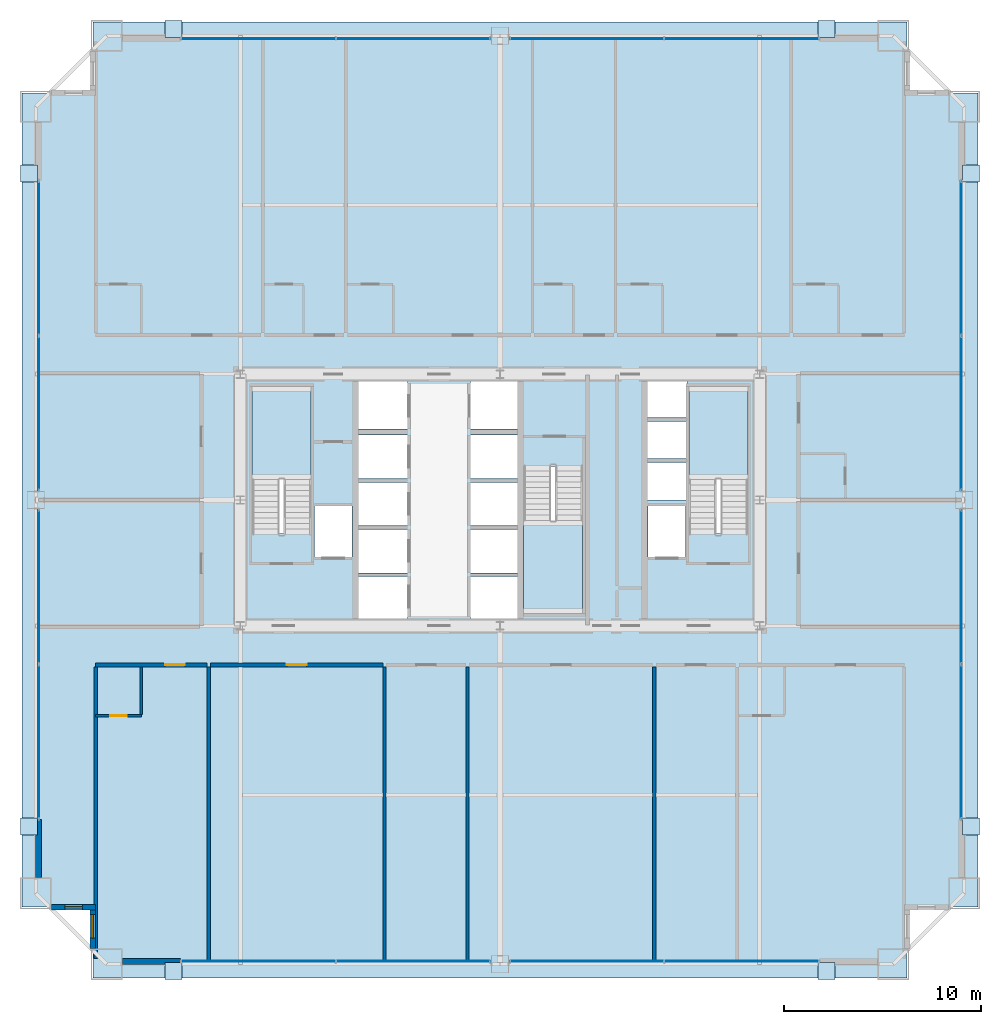
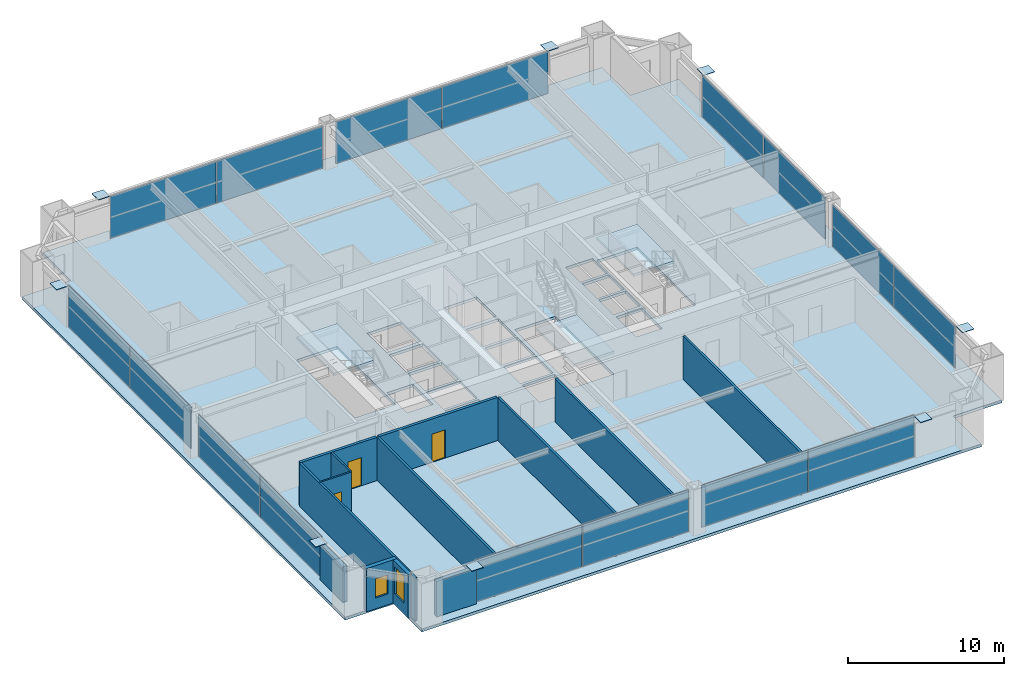
# One storey, part 34 of 39: 24 plates, 13 walls, 4 slabs, 3 doors, 2 windows, 5 openings, 11 elements without a shape of their own.
"""IFC4 building model written with IfcOpenShell, lengths in metres."""

import ifcopenshell
import ifcopenshell.guid

model = None  # the IFC model being written
_history = None  # IfcOwnerHistory: only IFC2X3 demands one
_inside = {}  # id of a spatial element -> (the spatial element, [elements in it])
_under = {}  # id of a project, library or spatial element -> (it, [spatial elements below it])
_declared = {}  # id of a project -> (the project, [libraries it declares])
_typed = {}  # id of a type object -> (the type object, [elements of that type])
_made_of = {}  # id of a material, layer set ... -> (it, [elements and type objects made of it])


def new_model(schema):
    """Start an empty IFC model of exactly this schema.

    Asked for "IFC4X3", IfcOpenShell would pick the latest addendum, in which some entities
    have other attributes; the version numbers below select the first issue.
    IFC2X3 requires an IfcOwnerHistory on every rooted entity: one is made here for all.
    """
    global model, _history
    if schema == "IFC4X3":
        model = ifcopenshell.file(schema_version=(4, 3, 0, 0))
    else:
        model = ifcopenshell.file(schema=schema)
    _inside.clear()
    _under.clear()
    _declared.clear()
    _typed.clear()
    _made_of.clear()
    _history = None
    if model.schema == "IFC2X3":
        org = make("IfcOrganization", Name="unknown")
        user = make(
            "IfcPersonAndOrganization",
            ThePerson=make("IfcPerson", FamilyName="unknown"),
            TheOrganization=org,
        )
        app = make(
            "IfcApplication",
            ApplicationDeveloper=org,
            Version="unknown",
            ApplicationFullName="unknown",
            ApplicationIdentifier="unknown",
        )
        _history = make(
            "IfcOwnerHistory",
            OwningUser=user,
            OwningApplication=app,
            ChangeAction="ADDED",
            CreationDate=0,
        )
    return model


def make(cls, **values):
    """One entity of the class cls with the attributes given. An attribute that is None is left unset."""
    return model.create_entity(
        cls, **{name: value for name, value in values.items() if value is not None}
    )


def rooted(cls, **values):
    """An entity with a GlobalId (a new one), such as an element, a storey or a relation."""
    return make(cls, GlobalId=ifcopenshell.guid.new(), OwnerHistory=_history, **values)


def si_unit(unit_type, name, prefix=None):
    """IfcSIUnit, for example si_unit("LENGTHUNIT", "METRE", prefix="MILLI")."""
    return make("IfcSIUnit", UnitType=unit_type, Prefix=prefix, Name=name)


def assignment(units):
    """IfcUnitAssignment: the units of a project."""
    return None if units is None else make("IfcUnitAssignment", Units=units)


def point(xyz):
    """IfcCartesianPoint."""
    return None if xyz is None else make("IfcCartesianPoint", Coordinates=xyz)


def direction(xyz):
    """IfcDirection."""
    return None if xyz is None else make("IfcDirection", DirectionRatios=xyz)


def frame(location, z_axis=None, x_axis=None):
    """IfcAxis2Placement3D, a coordinate frame: its origin and axes. An axis left out is left unset."""
    return make(
        "IfcAxis2Placement3D",
        Location=point(location),
        Axis=direction(z_axis),
        RefDirection=direction(x_axis),
    )


def frame_2d(location, x_axis=None):
    """IfcAxis2Placement2D, a coordinate frame in the plane: its origin and x axis."""
    return make(
        "IfcAxis2Placement2D", Location=point(location), RefDirection=direction(x_axis)
    )


def origin():
    """The frame at (0, 0, 0) with its axes left unset."""
    return frame((0.0, 0.0, 0.0))


def origin_2d():
    """The frame at (0, 0) in the plane with its x axis left unset."""
    return frame_2d((0.0, 0.0))


def place(relative_to, where):
    """IfcLocalPlacement: puts the frame where relative to a parent placement (None: the world)."""
    return make(
        "IfcLocalPlacement", PlacementRelTo=relative_to, RelativePlacement=where
    )


def context(
    kind, dimensions, precision=None, world=None, true_north=None, identifier=None
):
    """IfcGeometricRepresentationContext, for example the 3D "Model" context."""
    return make(
        "IfcGeometricRepresentationContext",
        ContextIdentifier=identifier,
        ContextType=kind,
        CoordinateSpaceDimension=dimensions,
        Precision=precision,
        WorldCoordinateSystem=world,
        TrueNorth=true_north,
    )


def subcontext(parent, identifier, kind, view, scale=None):
    """IfcGeometricRepresentationSubContext, for example "Body" below "Model"."""
    return make(
        "IfcGeometricRepresentationSubContext",
        ContextIdentifier=identifier,
        ContextType=kind,
        ParentContext=parent,
        TargetScale=scale,
        TargetView=view,
    )


def project(units=None, contexts=None):
    """IfcProject with its units and contexts."""
    return rooted(
        "IfcProject",
        Name="project",
        RepresentationContexts=contexts,
        UnitsInContext=assignment(units),
    )


def spatial(cls, under=None, at=None, **own):
    """A site, building, storey or space (cls), placed at a placement, below another one or the project."""
    s = rooted(cls, ObjectPlacement=at, **own)
    if under is not None:
        _under.setdefault(under.id(), (under, []))[1].append(s)
    return s


def polyline(points):
    """IfcPolyline through the points."""
    return make("IfcPolyline", Points=[point(p) for p in points])


def profile(cls, at=None, kind="AREA", **sizes):
    """A parametric profile (cls). Its sizes go by their IFC names, for example OverallWidth=200.0."""
    return make(cls, ProfileType=kind, Position=at, **sizes)


def rectangle(**sizes):
    """IfcRectangleProfileDef."""
    return profile("IfcRectangleProfileDef", **sizes)


def outline(outer, holes=None, kind="AREA"):
    """IfcArbitraryClosedProfileDef: a profile drawn as a closed curve; with holes, ...WithVoids."""
    if holes is None:
        return make("IfcArbitraryClosedProfileDef", ProfileType=kind, OuterCurve=outer)
    return make(
        "IfcArbitraryProfileDefWithVoids",
        ProfileType=kind,
        OuterCurve=outer,
        InnerCurves=holes,
    )


def extrude(swept, where, along, depth):
    """IfcExtrudedAreaSolid: the profile swept, set in the frame where, extruded along a direction by depth."""
    return make(
        "IfcExtrudedAreaSolid",
        SweptArea=swept,
        Position=where,
        ExtrudedDirection=direction(along),
        Depth=depth,
    )


def shape(context_of_items, identifier, shape_type, items):
    """IfcShapeRepresentation: the items that make up one representation, for example the "Body"."""
    return make(
        "IfcShapeRepresentation",
        ContextOfItems=context_of_items,
        RepresentationIdentifier=identifier,
        RepresentationType=shape_type,
        Items=items,
    )


def source(mapping_origin, context_of_items, identifier, shape_type, items):
    """IfcRepresentationMap: a shape defined once, which mapped items show again and again."""
    return make(
        "IfcRepresentationMap",
        MappingOrigin=mapping_origin,
        MappedRepresentation=shape(context_of_items, identifier, shape_type, items),
    )


def transform(
    local_origin,
    x_axis=None,
    y_axis=None,
    z_axis=None,
    scale=None,
    scale2=None,
    scale3=None,
    uniform=True,
):
    """IfcCartesianTransformationOperator3D, or its non-uniform kind. x_axis, y_axis, z_axis: its Axis1, 2, 3."""
    if uniform:
        return make(
            "IfcCartesianTransformationOperator3D",
            Axis1=direction(x_axis),
            Axis2=direction(y_axis),
            LocalOrigin=point(local_origin),
            Scale=scale,
            Axis3=direction(z_axis),
        )
    return make(
        "IfcCartesianTransformationOperator3DnonUniform",
        Axis1=direction(x_axis),
        Axis2=direction(y_axis),
        LocalOrigin=point(local_origin),
        Scale=scale,
        Axis3=direction(z_axis),
        Scale2=scale2,
        Scale3=scale3,
    )


def mapped(mapping_source, mapping_target):
    """IfcMappedItem: shows the shape of a source again, moved by a transform."""
    return make(
        "IfcMappedItem", MappingSource=mapping_source, MappingTarget=mapping_target
    )


def material(Name=None, Category=None):
    """IfcMaterial."""
    return make("IfcMaterial", Name=Name, Category=Category)


def layer(
    of_material, thickness, ventilated=None, Name=None, Category=None, Priority=None
):
    """IfcMaterialLayer: one layer of a wall or slab, of a material (None: an air gap)."""
    return make(
        "IfcMaterialLayer",
        Material=of_material,
        LayerThickness=thickness,
        IsVentilated=ventilated,
        Name=Name,
        Category=Category,
        Priority=Priority,
    )


def layer_set(layers, Name=None):
    """IfcMaterialLayerSet."""
    return make("IfcMaterialLayerSet", MaterialLayers=layers, LayerSetName=Name)


def made_of(thing, what):
    """Note that an element or type object is made of a material, layer set ...; save() writes the relation."""
    if what is not None:
        _made_of.setdefault(what.id(), (what, []))[1].append(thing)
    return thing


def type_object(cls, material=None, **own):
    """A type object (cls), such as IfcWallType, which elements share."""
    return made_of(rooted(cls, **own), material)


def element(
    cls,
    number,
    at=None,
    inside=None,
    cuts=None,
    type_object=None,
    material=None,
    context=None,
    identifier="Body",
    shape_type=None,
    held_by="IfcProductDefinitionShape",
    body=None,
    shapes=None,
    **own,
):
    """One element of the class cls, such as IfcWall. Its Tag is "e" and its number.

    at: its placement. inside: the storey or other place that contains it. cuts: it is an
    opening in that element (IfcRelVoidsElement). A single representation is given by context,
    identifier, shape_type and body (its items); several are given by shapes. held_by: the class
    of the entity that holds the representations. save() writes the other relations.
    """
    e = rooted(cls, Tag="e%d" % number, ObjectPlacement=at, **own)
    if body is not None:
        shapes = [shape(context, identifier, shape_type, body)]
    if shapes is not None:
        e.Representation = make(held_by, Representations=shapes)
    if inside is not None:
        _inside.setdefault(inside.id(), (inside, []))[1].append(e)
    if cuts is not None:
        rooted(
            "IfcRelVoidsElement", RelatingBuildingElement=cuts, RelatedOpeningElement=e
        )
    if type_object is not None:
        _typed.setdefault(type_object.id(), (type_object, []))[1].append(e)
    return made_of(e, material)


def fill(opening, filler):
    """IfcRelFillsElement: the door or window that sits in an opening."""
    return rooted(
        "IfcRelFillsElement",
        RelatingOpeningElement=opening,
        RelatedBuildingElement=filler,
    )


def aggregate(whole, parts):
    """IfcRelAggregates: a whole, such as a stair, and the parts it consists of."""
    return rooted("IfcRelAggregates", RelatingObject=whole, RelatedObjects=parts)


def save(model, path):
    """Write the relations noted so far, then the file.

    IfcRelAggregates (storeys below a building ...), IfcRelContainedInSpatialStructure (elements
    in a storey), IfcRelDefinesByType, IfcRelAssociatesMaterial and IfcRelDeclares: one each for
    every whole, place, type object, material and project.
    """
    for whole, parts in _under.values():
        aggregate(whole, parts)
    for where, things in _inside.values():
        rooted(
            "IfcRelContainedInSpatialStructure",
            RelatedElements=things,
            RelatingStructure=where,
        )
    for kind, things in _typed.values():
        rooted("IfcRelDefinesByType", RelatedObjects=things, RelatingType=kind)
    for what, things in _made_of.values():
        rooted("IfcRelAssociatesMaterial", RelatedObjects=things, RelatingMaterial=what)
    for by, libraries in _declared.values():
        rooted("IfcRelDeclares", RelatingContext=by, RelatedDefinitions=libraries)
    model.write(path)


model = new_model("IFC4")

# Units and contexts
model_context = context("Model", 3, precision=1e-05, world=origin(), true_north=direction((0.0, 1.0)))
body_context = subcontext(model_context, "Body", "Model", "MODEL_VIEW")
ifc_project = project(units=[si_unit("LENGTHUNIT", "METRE"), si_unit("AREAUNIT", "SQUARE_METRE"), si_unit("VOLUMEUNIT", "CUBIC_METRE"), si_unit("PLANEANGLEUNIT", "RADIAN"), si_unit("MASSUNIT", "GRAM", prefix="KILO"), si_unit("THERMODYNAMICTEMPERATUREUNIT", "KELVIN"), si_unit("POWERUNIT", "WATT")], contexts=[model_context])

# Site, building, storey
site_placement = place(None, origin())
site = spatial("IfcSite", under=ifc_project, at=site_placement, CompositionType="ELEMENT")
building_placement = place(site_placement, origin())
building = spatial("IfcBuilding", under=site, at=building_placement, Name="Yuzanri Waterfront Tower", CompositionType="ELEMENT")
storey_placement = place(building_placement, frame((0.0, 0.0, 148.800048828125)))
storey = spatial("IfcBuildingStorey", under=building, at=storey_placement, Name="L39", CompositionType="ELEMENT", Elevation=148.800048828125)

# Stair, slab
ifc_material_1 = material(Name="Concrete C40", Category="concrete")
stair_type = type_object("IfcStairType", Name="Concrete C40 Core Dogleg Exit Stair", PredefinedType="HALF_TURN_STAIR", material=ifc_material_1)
stair_1_placement = place(storey_placement, origin())
stair_1 = element("IfcStair", 1, at=stair_1_placement, inside=storey, type_object=stair_type, Name="L39 Smoke-Proof Core Stair ST-01", PredefinedType="HALF_TURN_STAIR")
ifc_material_2 = material(Name="Concrete C40", Category="concrete")
ifc_layer_1 = layer(ifc_material_2, 0.179931640625)
ifc_layer_set_1 = layer_set([ifc_layer_1], Name="Concrete C40")
slab_type_1 = type_object("IfcSlabType", Name="Concrete C40 Stair Half-Landing Slab 180", PredefinedType="LANDING", material=ifc_layer_set_1)
slab_1_placement = place(storey_placement, frame((0.0, 0.0, 1.599853515625)))
slab_1 = element("IfcSlab", 2, at=slab_1_placement, type_object=slab_type_1, Name="ST-01 landing 1", PredefinedType="LANDING", context=body_context, shape_type="SweptSolid", body=[
    extrude(outline(polyline([(27.39990234375, 26.840087890625), (27.39990234375, 31.580078125), (24.39990234375, 31.580078125), (24.39990234375, 26.840087890625), (27.39990234375, 26.840087890625)])), origin(), (0.0, 0.0, 1.0), 0.2001953125),
])
aggregate(stair_1, [slab_1])

stair_2_placement = place(storey_placement, origin())
stair_2 = element("IfcStair", 3, at=stair_2_placement, inside=storey, type_object=stair_type, Name="L39 Smoke-Proof Core Stair ST-02", PredefinedType="HALF_TURN_STAIR")
slab_2_placement = place(storey_placement, frame((0.0, 0.0, 1.599853515625)))
slab_2 = element("IfcSlab", 4, at=slab_2_placement, type_object=slab_type_1, Name="ST-02 landing 1", PredefinedType="LANDING", context=body_context, shape_type="SweptSolid", body=[
    extrude(outline(polyline([(49.60009765625, 26.840087890625), (49.60009765625, 31.580078125), (46.60009765625, 31.580078125), (46.60009765625, 26.840087890625), (49.60009765625, 26.840087890625)])), origin(), (0.0, 0.0, 1.0), 0.2001953125),
])
aggregate(stair_2, [slab_2])

stair_3_placement = place(storey_placement, origin())
stair_3 = element("IfcStair", 5, at=stair_3_placement, inside=storey, type_object=stair_type, Name="L39 Smoke-Proof Core Stair ST-03", PredefinedType="HALF_TURN_STAIR")
slab_3_placement = place(storey_placement, frame((0.0, 0.0, 1.599853515625)))
slab_3 = element("IfcSlab", 6, at=slab_3_placement, type_object=slab_type_1, Name="ST-03 landing 1", PredefinedType="LANDING", context=body_context, shape_type="SweptSolid", body=[
    extrude(outline(polyline([(38.199951171875, 24.760009765625), (38.199951171875, 20.02001953125), (41.199951171875, 20.02001953125), (41.199951171875, 24.760009765625), (38.199951171875, 24.760009765625)])), origin(), (0.0, 0.0, 1.0), 0.2001953125),
])
aggregate(stair_3, [slab_3])

# Slab
ifc_material_3 = material(Name="Concrete C40", Category="concrete")
ifc_layer_2 = layer(ifc_material_3, 0.219970703125)
ifc_layer_set_2 = layer_set([ifc_layer_2], Name="Concrete C40")
slab_type_2 = type_object("IfcSlabType", Name="Concrete C40 Tower Typical Structural Floor Slab 220", PredefinedType="FLOOR", material=ifc_layer_set_2)
slab_4_placement = place(storey_placement, frame((0.0, 0.0, -0.219970703125)))
element("IfcSlab", 7, at=slab_4_placement, inside=storey, type_object=slab_type_2, Name="L39 Main Structural Floor Slab", PredefinedType="FLOOR", context=body_context, shape_type="SweptSolid", body=[
    extrude(outline(polyline([(16.300048828125, 1.5), (57.699951171875, 1.5), (57.699951171875, 5.10009765625), (61.300048828125, 5.10009765625), (61.300048828125, 46.5), (57.699951171875, 46.5), (57.699951171875, 50.10009765625), (16.300048828125, 50.10009765625), (16.300048828125, 46.5), (12.699951171875, 46.5), (12.699951171875, 5.10009765625), (16.300048828125, 5.10009765625), (16.300048828125, 1.5)]), holes=[polyline([(27.39990234375, 24.10009765625), (27.39990234375, 31.580078125), (24.39990234375, 31.580078125), (24.39990234375, 24.10009765625), (27.39990234375, 24.10009765625)]), polyline([(49.60009765625, 24.10009765625), (49.60009765625, 31.580078125), (46.60009765625, 31.580078125), (46.60009765625, 24.10009765625), (49.60009765625, 24.10009765625)]), polyline([(38.199951171875, 27.5), (38.199951171875, 20.02001953125), (41.199951171875, 20.02001953125), (41.199951171875, 27.5), (38.199951171875, 27.5)]), polyline([(27.56005859375, 22.89990234375), (29.47998046875, 22.89990234375), (29.47998046875, 25.5), (27.56005859375, 25.5), (27.56005859375, 22.89990234375)]), polyline([(44.52001953125, 22.89990234375), (46.43994140625, 22.89990234375), (46.43994140625, 25.5), (44.52001953125, 25.5), (44.52001953125, 22.89990234375)]), polyline([(29.800048828125, 19.699951171875), (32.300048828125, 19.699951171875), (32.300048828125, 21.89990234375), (29.800048828125, 21.89990234375), (29.800048828125, 19.699951171875)]), polyline([(29.800048828125, 22.10009765625), (32.300048828125, 22.10009765625), (32.300048828125, 24.300048828125), (29.800048828125, 24.300048828125), (29.800048828125, 22.10009765625)]), polyline([(29.800048828125, 24.5), (32.300048828125, 24.5), (32.300048828125, 26.699951171875), (29.800048828125, 26.699951171875), (29.800048828125, 24.5)]), polyline([(29.800048828125, 26.89990234375), (32.300048828125, 26.89990234375), (32.300048828125, 29.10009765625), (29.800048828125, 29.10009765625), (29.800048828125, 26.89990234375)]), polyline([(29.800048828125, 29.39990234375), (32.300048828125, 29.39990234375), (32.300048828125, 31.89990234375), (29.800048828125, 31.89990234375), (29.800048828125, 29.39990234375)]), polyline([(35.5, 19.699951171875), (37.89990234375, 19.699951171875), (37.89990234375, 21.89990234375), (35.5, 21.89990234375), (35.5, 19.699951171875)]), polyline([(35.5, 22.10009765625), (37.89990234375, 22.10009765625), (37.89990234375, 24.300048828125), (35.5, 24.300048828125), (35.5, 22.10009765625)]), polyline([(35.5, 24.5), (37.89990234375, 24.5), (37.89990234375, 26.699951171875), (35.5, 26.699951171875), (35.5, 24.5)]), polyline([(35.5, 26.89990234375), (37.89990234375, 26.89990234375), (37.89990234375, 29.10009765625), (35.5, 29.10009765625), (35.5, 26.89990234375)]), polyline([(35.5, 29.39990234375), (37.89990234375, 29.39990234375), (37.89990234375, 31.89990234375), (35.5, 31.89990234375), (35.5, 29.39990234375)]), polyline([(44.5, 25.800048828125), (46.5, 25.800048828125), (46.5, 27.699951171875), (44.5, 27.699951171875), (44.5, 25.800048828125)]), polyline([(44.5, 27.89990234375), (46.5, 27.89990234375), (46.5, 29.800048828125), (44.5, 29.800048828125), (44.5, 27.89990234375)]), polyline([(44.5, 30.0), (46.5, 30.0), (46.5, 31.89990234375), (44.5, 31.89990234375), (44.5, 30.0)])]), origin(), (0.0, 0.0, 1.0), 0.219970703125),
])

# Plates
ifc_material_4 = material(Name="Steel Q420GJC", Category="steel")
ifc_layer_3 = layer(ifc_material_4, 0.0400390625)
ifc_layer_set_3 = layer_set([ifc_layer_3], Name="Steel Q420GJC")
plate_type_1 = type_object("IfcPlateType", Name="Steel Q420GJC Mega-Brace Gusset and End-Cap Plate 40", PredefinedType="SHEET", material=ifc_layer_set_3)
shared_shape_1 = source(origin(), body_context, "Body", "SweptSolid", [
    extrude(rectangle(XDim=0.85009765625, YDim=0.85009765625, at=origin_2d()), origin(), (0.0, 0.0, 1.0), 0.0400390625),
])
for number, where, z_axis, x_axis, name in (
    (8, (20.39990234375, 1.860107421875, 3.260009765625), (0.0, 0.0, 1.0), (1.0, 0.0, 0.0), "L39 Mega-Brace Apex Cap Plate S-L"),
    (9, (53.60009765625, 1.860107421875, 3.260009765625), (0.0, 0.0, 1.0), (1.0, 0.0, 0.0), "L39 Mega-Brace Apex Cap Plate S-R"),
    (10, (20.39990234375, 49.739990234375, 3.260009765625), (0.0, 0.0, 1.0), (1.0, 0.0, 0.0), "L39 Mega-Brace Apex Cap Plate N-L"),
    (11, (53.60009765625, 49.739990234375, 3.260009765625), (0.0, 0.0, 1.0), (1.0, 0.0, 0.0), "L39 Mega-Brace Apex Cap Plate N-R"),
    (12, (13.06005859375, 9.199951171875, 3.260009765625), (0.0, 0.0, 1.0), (1.0, 0.0, 0.0), "L39 Mega-Brace Apex Cap Plate W-L"),
    (13, (13.06005859375, 42.39990234375, 3.260009765625), (0.0, 0.0, 1.0), (1.0, 0.0, 0.0), "L39 Mega-Brace Apex Cap Plate W-R"),
    (14, (60.93994140625, 9.199951171875, 3.260009765625), (0.0, 0.0, 1.0), (1.0, 0.0, 0.0), "L39 Mega-Brace Apex Cap Plate E-L"),
    (15, (60.93994140625, 42.39990234375, 3.260009765625), (0.0, 0.0, 1.0), (1.0, 0.0, 0.0), "L39 Mega-Brace Apex Cap Plate E-R"),
):
    element("IfcPlate", number, at=place(storey_placement, frame(where, z_axis=z_axis, x_axis=x_axis)), inside=storey, type_object=plate_type_1, Name=name, PredefinedType="SHEET", context=body_context, shape_type="MappedRepresentation", body=[
        mapped(shared_shape_1, transform((0.0, 0.0, 0.0), scale=1.0)),
    ])

# Curtain wall, plates
ifc_material_5 = material(Name="Anodized Architectural Bronze", Category="metal")
ifc_layer_4 = layer(ifc_material_5, 0.159912109375)
ifc_layer_set_4 = layer_set([ifc_layer_4], Name="Anodized Architectural Bronze")
curtain_wall_type = type_object("IfcCurtainWallType", Name="Anodized Bronze Hotel Upper-Tier Solar-Control Unitized Curtain Wall 7800", PredefinedType="NOTDEFINED", material=ifc_layer_set_4)
curtain_wall_1_placement = place(storey_placement, origin())
curtain_wall_1 = element("IfcCurtainWall", 16, at=curtain_wall_1_placement, inside=storey, type_object=curtain_wall_type, Name="L39 Curtain Wall CW-L39-SL", PredefinedType="NOTDEFINED")
ifc_material_6 = material(Name="Double-Silver Low-E Insulated Glass", Category="glass")
ifc_layer_5 = layer(ifc_material_6, 0.035888671875)
ifc_layer_set_5 = layer_set([ifc_layer_5], Name="Double-Silver Low-E Insulated Glass")
plate_type_2 = type_object("IfcPlateType", Name="Double Silver Low-E Insulated Vision Glass Panel 36", PredefinedType="CURTAIN_PANEL", material=ifc_layer_set_5)
shared_shape_2 = source(origin(), body_context, "Body", "SweptSolid", [
    extrude(rectangle(XDim=7.820068359375, YDim=0.035888671875, at=origin_2d()), origin(), (0.0, 0.0, 1.0), 3.280029296875),
])
plate_1_placement = place(storey_placement, frame((24.699951171875, 2.35009765625, 0.0498046875), z_axis=(0.0, 0.0, 1.0), x_axis=(1.0, 0.0, 0.0)))
plate_1 = element("IfcPlate", 17, at=plate_1_placement, type_object=plate_type_2, Name="CW-L39-SL Vision Glass Panel 01", PredefinedType="CURTAIN_PANEL", context=body_context, shape_type="MappedRepresentation", body=[
    mapped(shared_shape_2, transform((0.0, 0.0, 0.0), scale=1.0)),
])
plate_2_placement = place(storey_placement, frame((32.60009765625, 2.35009765625, 0.0498046875), z_axis=(0.0, 0.0, 1.0), x_axis=(1.0, 0.0, 0.0)))
plate_2 = element("IfcPlate", 18, at=plate_2_placement, type_object=plate_type_2, Name="CW-L39-SL Vision Glass Panel 02", PredefinedType="CURTAIN_PANEL", context=body_context, shape_type="MappedRepresentation", body=[
    mapped(shared_shape_2, transform((0.0, 0.0, 0.0), scale=1.0)),
])
aggregate(curtain_wall_1, [plate_1, plate_2])

curtain_wall_2_placement = place(storey_placement, origin())
curtain_wall_2 = element("IfcCurtainWall", 19, at=curtain_wall_2_placement, inside=storey, type_object=curtain_wall_type, Name="L39 Curtain Wall CW-L39-SR", PredefinedType="NOTDEFINED")
plate_3_placement = place(storey_placement, frame((41.39990234375, 2.35009765625, 0.0498046875), z_axis=(0.0, 0.0, 1.0), x_axis=(1.0, 0.0, 0.0)))
plate_3 = element("IfcPlate", 20, at=plate_3_placement, type_object=plate_type_2, Name="CW-L39-SR Vision Glass Panel 01", PredefinedType="CURTAIN_PANEL", context=body_context, shape_type="MappedRepresentation", body=[
    mapped(shared_shape_2, transform((0.0, 0.0, 0.0), scale=1.0)),
])
plate_4_placement = place(storey_placement, frame((49.300048828125, 2.35009765625, 0.0498046875), z_axis=(0.0, 0.0, 1.0), x_axis=(1.0, 0.0, 0.0)))
plate_4 = element("IfcPlate", 21, at=plate_4_placement, type_object=plate_type_2, Name="CW-L39-SR Vision Glass Panel 02", PredefinedType="CURTAIN_PANEL", context=body_context, shape_type="MappedRepresentation", body=[
    mapped(shared_shape_2, transform((0.0, 0.0, 0.0), scale=1.0)),
])
aggregate(curtain_wall_2, [plate_3, plate_4])

curtain_wall_3_placement = place(storey_placement, origin())
curtain_wall_3 = element("IfcCurtainWall", 22, at=curtain_wall_3_placement, inside=storey, type_object=curtain_wall_type, Name="L39 Curtain Wall CW-L39-NL", PredefinedType="NOTDEFINED")
plate_5_placement = place(storey_placement, frame((24.699951171875, 49.25, 0.0498046875), z_axis=(0.0, 0.0, 1.0), x_axis=(1.0, 0.0, 0.0)))
plate_5 = element("IfcPlate", 23, at=plate_5_placement, type_object=plate_type_2, Name="CW-L39-NL Vision Glass Panel 01", PredefinedType="CURTAIN_PANEL", context=body_context, shape_type="MappedRepresentation", body=[
    mapped(shared_shape_2, transform((0.0, 0.0, 0.0), scale=1.0)),
])
plate_6_placement = place(storey_placement, frame((32.60009765625, 49.25, 0.0498046875), z_axis=(0.0, 0.0, 1.0), x_axis=(1.0, 0.0, 0.0)))
plate_6 = element("IfcPlate", 24, at=plate_6_placement, type_object=plate_type_2, Name="CW-L39-NL Vision Glass Panel 02", PredefinedType="CURTAIN_PANEL", context=body_context, shape_type="MappedRepresentation", body=[
    mapped(shared_shape_2, transform((0.0, 0.0, 0.0), scale=1.0)),
])
aggregate(curtain_wall_3, [plate_5, plate_6])

curtain_wall_4_placement = place(storey_placement, origin())
curtain_wall_4 = element("IfcCurtainWall", 25, at=curtain_wall_4_placement, inside=storey, type_object=curtain_wall_type, Name="L39 Curtain Wall CW-L39-NR", PredefinedType="NOTDEFINED")
plate_7_placement = place(storey_placement, frame((41.39990234375, 49.25, 0.0498046875), z_axis=(0.0, 0.0, 1.0), x_axis=(1.0, 0.0, 0.0)))
plate_7 = element("IfcPlate", 26, at=plate_7_placement, type_object=plate_type_2, Name="CW-L39-NR Vision Glass Panel 01", PredefinedType="CURTAIN_PANEL", context=body_context, shape_type="MappedRepresentation", body=[
    mapped(shared_shape_2, transform((0.0, 0.0, 0.0), scale=1.0)),
])
plate_8_placement = place(storey_placement, frame((49.300048828125, 49.25, 0.0498046875), z_axis=(0.0, 0.0, 1.0), x_axis=(1.0, 0.0, 0.0)))
plate_8 = element("IfcPlate", 27, at=plate_8_placement, type_object=plate_type_2, Name="CW-L39-NR Vision Glass Panel 02", PredefinedType="CURTAIN_PANEL", context=body_context, shape_type="MappedRepresentation", body=[
    mapped(shared_shape_2, transform((0.0, 0.0, 0.0), scale=1.0)),
])
aggregate(curtain_wall_4, [plate_7, plate_8])

curtain_wall_5_placement = place(storey_placement, origin())
curtain_wall_5 = element("IfcCurtainWall", 28, at=curtain_wall_5_placement, inside=storey, type_object=curtain_wall_type, Name="L39 Curtain Wall CW-L39-WL", PredefinedType="NOTDEFINED")
plate_9_placement = place(storey_placement, frame((13.550048828125, 13.5, 0.0498046875), z_axis=(0.0, 0.0, 1.0), x_axis=(0.0, 1.0, 0.0)))
plate_9 = element("IfcPlate", 29, at=plate_9_placement, type_object=plate_type_2, Name="CW-L39-WL Vision Glass Panel 01", PredefinedType="CURTAIN_PANEL", context=body_context, shape_type="MappedRepresentation", body=[
    mapped(shared_shape_2, transform((0.0, 0.0, 0.0), scale=1.0)),
])
plate_10_placement = place(storey_placement, frame((13.550048828125, 21.39990234375, 0.0498046875), z_axis=(0.0, 0.0, 1.0), x_axis=(0.0, 1.0, 0.0)))
plate_10 = element("IfcPlate", 30, at=plate_10_placement, type_object=plate_type_2, Name="CW-L39-WL Vision Glass Panel 02", PredefinedType="CURTAIN_PANEL", context=body_context, shape_type="MappedRepresentation", body=[
    mapped(shared_shape_2, transform((0.0, 0.0, 0.0), scale=1.0)),
])
aggregate(curtain_wall_5, [plate_9, plate_10])

curtain_wall_6_placement = place(storey_placement, origin())
curtain_wall_6 = element("IfcCurtainWall", 31, at=curtain_wall_6_placement, inside=storey, type_object=curtain_wall_type, Name="L39 Curtain Wall CW-L39-WR", PredefinedType="NOTDEFINED")
plate_11_placement = place(storey_placement, frame((13.550048828125, 30.199951171875, 0.0498046875), z_axis=(0.0, 0.0, 1.0), x_axis=(0.0, 1.0, 0.0)))
plate_11 = element("IfcPlate", 32, at=plate_11_placement, type_object=plate_type_2, Name="CW-L39-WR Vision Glass Panel 01", PredefinedType="CURTAIN_PANEL", context=body_context, shape_type="MappedRepresentation", body=[
    mapped(shared_shape_2, transform((0.0, 0.0, 0.0), scale=1.0)),
])
plate_12_placement = place(storey_placement, frame((13.550048828125, 38.10009765625, 0.0498046875), z_axis=(0.0, 0.0, 1.0), x_axis=(0.0, 1.0, 0.0)))
plate_12 = element("IfcPlate", 33, at=plate_12_placement, type_object=plate_type_2, Name="CW-L39-WR Vision Glass Panel 02", PredefinedType="CURTAIN_PANEL", context=body_context, shape_type="MappedRepresentation", body=[
    mapped(shared_shape_2, transform((0.0, 0.0, 0.0), scale=1.0)),
])
aggregate(curtain_wall_6, [plate_11, plate_12])

curtain_wall_7_placement = place(storey_placement, origin())
curtain_wall_7 = element("IfcCurtainWall", 34, at=curtain_wall_7_placement, inside=storey, type_object=curtain_wall_type, Name="L39 Curtain Wall CW-L39-EL", PredefinedType="NOTDEFINED")
plate_13_placement = place(storey_placement, frame((60.449951171875, 13.5, 0.0498046875), z_axis=(0.0, 0.0, 1.0), x_axis=(0.0, 1.0, 0.0)))
plate_13 = element("IfcPlate", 35, at=plate_13_placement, type_object=plate_type_2, Name="CW-L39-EL Vision Glass Panel 01", PredefinedType="CURTAIN_PANEL", context=body_context, shape_type="MappedRepresentation", body=[
    mapped(shared_shape_2, transform((0.0, 0.0, 0.0), scale=1.0)),
])
plate_14_placement = place(storey_placement, frame((60.449951171875, 21.39990234375, 0.0498046875), z_axis=(0.0, 0.0, 1.0), x_axis=(0.0, 1.0, 0.0)))
plate_14 = element("IfcPlate", 36, at=plate_14_placement, type_object=plate_type_2, Name="CW-L39-EL Vision Glass Panel 02", PredefinedType="CURTAIN_PANEL", context=body_context, shape_type="MappedRepresentation", body=[
    mapped(shared_shape_2, transform((0.0, 0.0, 0.0), scale=1.0)),
])
aggregate(curtain_wall_7, [plate_13, plate_14])

curtain_wall_8_placement = place(storey_placement, origin())
curtain_wall_8 = element("IfcCurtainWall", 37, at=curtain_wall_8_placement, inside=storey, type_object=curtain_wall_type, Name="L39 Curtain Wall CW-L39-ER", PredefinedType="NOTDEFINED")
plate_15_placement = place(storey_placement, frame((60.449951171875, 30.199951171875, 0.0498046875), z_axis=(0.0, 0.0, 1.0), x_axis=(0.0, 1.0, 0.0)))
plate_15 = element("IfcPlate", 38, at=plate_15_placement, type_object=plate_type_2, Name="CW-L39-ER Vision Glass Panel 01", PredefinedType="CURTAIN_PANEL", context=body_context, shape_type="MappedRepresentation", body=[
    mapped(shared_shape_2, transform((0.0, 0.0, 0.0), scale=1.0)),
])
plate_16_placement = place(storey_placement, frame((60.449951171875, 38.10009765625, 0.0498046875), z_axis=(0.0, 0.0, 1.0), x_axis=(0.0, 1.0, 0.0)))
plate_16 = element("IfcPlate", 39, at=plate_16_placement, type_object=plate_type_2, Name="CW-L39-ER Vision Glass Panel 02", PredefinedType="CURTAIN_PANEL", context=body_context, shape_type="MappedRepresentation", body=[
    mapped(shared_shape_2, transform((0.0, 0.0, 0.0), scale=1.0)),
])
aggregate(curtain_wall_8, [plate_15, plate_16])

# Wall, opening, door
ifc_material_7 = material(Name="Moisture-Resistant Gypsum Stud Wall", Category="gypsum")
ifc_layer_6 = layer(ifc_material_7, 0.1201171875)
ifc_layer_set_6 = layer_set([ifc_layer_6], Name="Moisture-Resistant Gypsum Stud Wall")
wall_type_1 = type_object("IfcWallType", Name="Bathroom and Kitchen Wet Partition 120", PredefinedType="PARTITIONING", material=ifc_layer_set_6)
wall_1_placement = place(storey_placement, frame((16.43994140625, 14.840087890625, 0.0), z_axis=(0.0, 0.0, 1.0), x_axis=(1.0, 0.0, 0.0)))
wall_1 = element("IfcWall", 40, at=wall_1_placement, inside=storey, type_object=wall_type_1, Name="L39 Partition UW-L39-S1-BS", PredefinedType="PARTITIONING", context=body_context, shape_type="SweptSolid", body=[
    extrude(rectangle(XDim=2.330078125, YDim=0.1201171875, at=frame_2d((1.1650390625, 0.0))), origin(), (0.0, 0.0, 1.0), 3.3798828125),
])
opening_1_placement = place(wall_1_placement, frame((0.739990234375, 0.0, 0.0)))
opening_1 = element("IfcOpeningElement", 41, at=opening_1_placement, cuts=wall_1, Name="Opening ID-0850", PredefinedType="OPENING", context=body_context, shape_type="SweptSolid", body=[
    extrude(rectangle(XDim=0.85009765625, YDim=2.10009765625, at=frame_2d((0.425048828125, 1.050048828125))), frame((0.0, 0.074951171875, 0.0), z_axis=(0.0, -1.0, 0.0), x_axis=(1.0, 0.0, 0.0)), (0.0, 0.0, 1.0), 0.14990234375),
])
ifc_material_8 = material(Name="Moisture-Resistant Lacquered Timber", Category="wood")
door_type_1 = type_object("IfcDoorType", Name="En-Suite Bathroom and Kitchen Swing Door 850x2100", OperationType="NOTDEFINED", PredefinedType="DOOR", material=ifc_material_8)
shared_shape_3 = source(origin(), body_context, "Body", "SweptSolid", [
    extrude(rectangle(XDim=0.85009765625, YDim=2.10009765625, at=frame_2d((0.425048828125, 1.050048828125))), frame((0.0, 0.02490234375, 0.0), z_axis=(0.0, -1.0, 0.0), x_axis=(1.0, 0.0, 0.0)), (0.0, 0.0, 1.0), 0.050048828125),
])
door_1_placement = place(opening_1_placement, origin())
door_1 = element("IfcDoor", 42, at=door_1_placement, inside=storey, type_object=door_type_1, Name="L39 Guest En-Suite Door", OperationType="SINGLE_SWING_LEFT", OverallHeight=2.10009765625, OverallWidth=0.85009765625, PredefinedType="DOOR", context=body_context, shape_type="MappedRepresentation", body=[
    mapped(shared_shape_3, transform((0.0, 0.0, 0.0), scale=1.0)),
])
fill(opening_1, door_1)

# Wall, opening, window
ifc_material_9 = material(Name="Honed Chongqing Dark Basalt Stone", Category="masonry")
ifc_layer_7 = layer(ifc_material_9, 0.300048828125)
ifc_layer_set_7 = layer_set([ifc_layer_7], Name="Honed Chongqing Dark Basalt Stone")
wall_type_2 = type_object("IfcWallType", Name="Bronze Rainscreen Insulated Spandrel Portal Wall 300", PredefinedType="SOLIDWALL", material=ifc_layer_set_7)
wall_2_placement = place(storey_placement, frame((14.199951171875, 5.10009765625, 0.0), z_axis=(0.0, 0.0, 1.0), x_axis=(1.0, 0.0, 0.0)))
wall_2 = element("IfcWall", 43, at=wall_2_placement, inside=storey, type_object=wall_type_2, Name="L39 Notched Corner Masonry Wall SW-X", PredefinedType="SOLIDWALL", context=body_context, shape_type="SweptSolid", body=[
    extrude(rectangle(XDim=2.25, YDim=0.300048828125, at=frame_2d((1.125, 0.0))), origin(), (0.0, 0.0, 1.0), 3.3798828125),
])
opening_2_placement = place(wall_2_placement, frame((0.675048828125, 0.0, 0.85009765625)))
opening_2 = element("IfcOpeningElement", 44, at=opening_2_placement, cuts=wall_2, Name="Opening WN-05", PredefinedType="OPENING", context=body_context, shape_type="SweptSolid", body=[
    extrude(rectangle(XDim=0.89990234375, YDim=1.5, at=frame_2d((0.449951171875, 0.75))), frame((0.0, 0.1650390625, 0.0), z_axis=(0.0, -1.0, 0.0), x_axis=(1.0, 0.0, 0.0)), (0.0, 0.0, 1.0), 0.329833984375),
])
ifc_material_10 = material(Name="Double-Silver Low-E Insulated Glass", Category="glass")
window_type_1 = type_object("IfcWindowType", Name="Anodized Bronze Service and Stairwell Smoke-Vent Window 900x1500", PartitioningType="SINGLE_PANEL", PredefinedType="WINDOW", material=ifc_material_10)
shared_shape_4 = source(origin(), body_context, "Body", "SweptSolid", [
    extrude(rectangle(XDim=0.89990234375, YDim=1.5, at=frame_2d((0.449951171875, 0.75))), frame((0.0, 0.030029296875, 0.0), z_axis=(0.0, -1.0, 0.0), x_axis=(1.0, 0.0, 0.0)), (0.0, 0.0, 1.0), 0.06005859375),
])
window_1_placement = place(opening_2_placement, origin())
window_1 = element("IfcWindow", 45, at=window_1_placement, inside=storey, type_object=window_type_1, Name="L39 Notched Corner Window SW-X", OverallHeight=1.5, OverallWidth=0.89990234375, PartitioningType="SINGLE_PANEL", PredefinedType="WINDOW", context=body_context, shape_type="MappedRepresentation", body=[
    mapped(shared_shape_4, transform((0.0, 0.0, 0.0), scale=1.0)),
])
fill(opening_2, window_1)

wall_3_placement = place(storey_placement, frame((16.300048828125, 5.25, 0.0), z_axis=(0.0, 0.0, 1.0), x_axis=(0.0, -1.0, 0.0)))
wall_3 = element("IfcWall", 46, at=wall_3_placement, inside=storey, type_object=wall_type_2, Name="L39 Notched Corner Masonry Wall SW-Y", PredefinedType="SOLIDWALL", context=body_context, shape_type="SweptSolid", body=[
    extrude(rectangle(XDim=2.25, YDim=0.300048828125, at=frame_2d((1.125, 0.0))), origin(), (0.0, 0.0, 1.0), 3.3798828125),
])
opening_3_placement = place(wall_3_placement, frame((0.52490234375, 0.0, 0.85009765625)))
opening_3 = element("IfcOpeningElement", 47, at=opening_3_placement, cuts=wall_3, Name="Opening WN-02", PredefinedType="OPENING", context=body_context, shape_type="SweptSolid", body=[
    extrude(rectangle(XDim=1.199951171875, YDim=2.10009765625, at=frame_2d((0.60009765625, 1.050048828125))), frame((0.0, 0.1650390625, 0.0), z_axis=(0.0, -1.0, 0.0), x_axis=(1.0, 0.0, 0.0)), (0.0, 0.0, 1.0), 0.329833984375),
])
ifc_material_11 = material(Name="Double-Silver Low-E Insulated Glass", Category="glass")
window_type_2 = type_object("IfcWindowType", Name="Anodized Bronze Notched Corner Deep-Set Slot Window 1200x2100", PartitioningType="SINGLE_PANEL", PredefinedType="WINDOW", material=ifc_material_11)
shared_shape_5 = source(origin(), body_context, "Body", "SweptSolid", [
    extrude(rectangle(XDim=1.199951171875, YDim=2.10009765625, at=frame_2d((0.60009765625, 1.050048828125))), frame((0.0, 0.030029296875, 0.0), z_axis=(0.0, -1.0, 0.0), x_axis=(1.0, 0.0, 0.0)), (0.0, 0.0, 1.0), 0.06005859375),
])
window_2_placement = place(opening_3_placement, origin())
window_2 = element("IfcWindow", 48, at=window_2_placement, inside=storey, type_object=window_type_2, Name="L39 Notched Corner Window SW-Y", OverallHeight=2.10009765625, OverallWidth=1.199951171875, PartitioningType="SINGLE_PANEL", PredefinedType="WINDOW", context=body_context, shape_type="MappedRepresentation", body=[
    mapped(shared_shape_5, transform((0.0, 0.0, 0.0), scale=1.0)),
])
fill(opening_3, window_2)

# Wall, opening, door
ifc_material_12 = material(Name="Autoclaved Aerated Concrete Blockwork", Category="masonry")
ifc_layer_8 = layer(ifc_material_12, 0.199951171875)
ifc_layer_set_8 = layer_set([ifc_layer_8], Name="Autoclaved Aerated Concrete Blockwork")
wall_type_3 = type_object("IfcWallType", Name="Corridor and Unit Party Fire Wall 200", PredefinedType="PARTITIONING", material=ifc_layer_set_8)
wall_4_placement = place(storey_placement, frame((16.43994140625, 17.419921875, 0.0), z_axis=(0.0, 0.0, 1.0), x_axis=(1.0, 0.0, 0.0)))
wall_4 = element("IfcWall", 49, at=wall_4_placement, inside=storey, type_object=wall_type_3, Name="L39 Partition UW-L39-S1-CN", PredefinedType="PARTITIONING", context=body_context, shape_type="SweptSolid", body=[
    extrude(rectangle(XDim=5.677001953125, YDim=0.199951171875, at=frame_2d((2.83837890625, 0.0))), origin(), (0.0, 0.0, 1.0), 3.3798828125),
])
opening_4_placement = place(wall_4_placement, frame((3.54296875, 0.0, 0.0)))
opening_4 = element("IfcOpeningElement", 50, at=opening_4_placement, cuts=wall_4, Name="Opening FD-1000", PredefinedType="OPENING", context=body_context, shape_type="SweptSolid", body=[
    extrude(rectangle(XDim=1.0, YDim=2.199951171875, at=frame_2d((0.5, 1.10009765625))), frame((0.0, 0.11474609375, 0.0), z_axis=(0.0, -1.0, 0.0), x_axis=(1.0, 0.0, 0.0)), (0.0, 0.0, 1.0), 0.229736328125),
])
ifc_material_13 = material(Name="Engineered Oak Fire-Rated Timber", Category="wood")
door_type_2 = type_object("IfcDoorType", Name="Guestroom and Apartment Entrance Fire Door 1000x2200", OperationType="NOTDEFINED", PredefinedType="DOOR", material=ifc_material_13)
shared_shape_6 = source(origin(), body_context, "Body", "SweptSolid", [
    extrude(rectangle(XDim=1.0, YDim=2.199951171875, at=frame_2d((0.5, 1.10009765625))), frame((0.0, 0.02490234375, 0.0), z_axis=(0.0, -1.0, 0.0), x_axis=(1.0, 0.0, 0.0)), (0.0, 0.0, 1.0), 0.050048828125),
])
door_2_placement = place(opening_4_placement, origin())
door_2 = element("IfcDoor", 51, at=door_2_placement, inside=storey, type_object=door_type_2, Name="L39 Ambassador Suite Entrance Door", OperationType="SINGLE_SWING_RIGHT", OverallHeight=2.199951171875, OverallWidth=1.0, PredefinedType="DOOR", context=body_context, shape_type="MappedRepresentation", body=[
    mapped(shared_shape_6, transform((0.0, 0.0, 0.0), scale=1.0)),
])
fill(opening_4, door_2)

wall_5_placement = place(storey_placement, frame((22.277099609375, 17.419921875, 0.0), z_axis=(0.0, 0.0, 1.0), x_axis=(1.0, 0.0, 0.0)))
wall_5 = element("IfcWall", 52, at=wall_5_placement, inside=storey, type_object=wall_type_3, Name="L39 Partition UW-L39-S2-CN", PredefinedType="PARTITIONING", context=body_context, shape_type="SweptSolid", body=[
    extrude(rectangle(XDim=8.77685546875, YDim=0.199951171875, at=frame_2d((4.388427734375, 0.0))), origin(), (0.0, 0.0, 1.0), 3.3798828125),
])
opening_5_placement = place(wall_5_placement, frame((3.888916015625, 0.0, 0.0)))
opening_5 = element("IfcOpeningElement", 53, at=opening_5_placement, cuts=wall_5, Name="Opening FD-1000", PredefinedType="OPENING", context=body_context, shape_type="SweptSolid", body=[
    extrude(rectangle(XDim=1.0, YDim=2.199951171875, at=frame_2d((0.5, 1.10009765625))), frame((0.0, 0.11474609375, 0.0), z_axis=(0.0, -1.0, 0.0), x_axis=(1.0, 0.0, 0.0)), (0.0, 0.0, 1.0), 0.229736328125),
])
door_3_placement = place(opening_5_placement, origin())
door_3 = element("IfcDoor", 54, at=door_3_placement, inside=storey, type_object=door_type_2, Name="L39 Private Office 1 Entrance Door", OperationType="SINGLE_SWING_RIGHT", OverallHeight=2.199951171875, OverallWidth=1.0, PredefinedType="DOOR", context=body_context, shape_type="MappedRepresentation", body=[
    mapped(shared_shape_6, transform((0.0, 0.0, 0.0), scale=1.0)),
])
fill(opening_5, door_3)

# Walls
shared_shape_7 = source(origin(), body_context, "Body", "SweptSolid", [
    extrude(rectangle(XDim=2.949951171875, YDim=0.300048828125, at=frame_2d((1.47509765625, 0.0))), origin(), (0.0, 0.0, 1.0), 2.77490234375),
])
for number, where, z_axis, x_axis, name in (
    (55, (17.800048828125, 2.35009765625, 0.0), (0.0, 0.0, 1.0), (1.0, 0.0, 0.0), "L39 S Left Braced Masonry Shoulder"),
    (56, (13.550048828125, 6.60009765625, 0.0), (0.0, 0.0, 1.0), (0.0, 1.0, 0.0), "L39 W Left Braced Masonry Shoulder"),
):
    element("IfcWall", number, at=place(storey_placement, frame(where, z_axis=z_axis, x_axis=x_axis)), inside=storey, type_object=wall_type_2, Name=name, PredefinedType="SOLIDWALL", context=body_context, shape_type="MappedRepresentation", body=[
        mapped(shared_shape_7, transform((0.0, 0.0, 0.0), scale=1.0)),
    ])
shared_shape_8 = source(origin(), body_context, "Body", "SweptSolid", [
    extrude(rectangle(XDim=2.420166015625, YDim=0.1201171875, at=frame_2d((1.2099609375, 0.0))), origin(), (0.0, 0.0, 1.0), 3.3798828125),
])
wall_6_placement = place(storey_placement, frame((18.77001953125, 14.89990234375, 0.0), z_axis=(0.0, 0.0, 1.0), x_axis=(0.0, 1.0, 0.0)))
element("IfcWall", 57, at=wall_6_placement, inside=storey, type_object=wall_type_1, Name="L39-S1 En-Suite Side Wall", PredefinedType="PARTITIONING", context=body_context, shape_type="MappedRepresentation", body=[
    mapped(shared_shape_8, transform((0.0, 0.0, 0.0), scale=1.0)),
])
ifc_material_14 = material(Name="Gypsum Fireboard Acoustic Stud Wall", Category="gypsum")
ifc_layer_9 = layer(ifc_material_14, 0.159912109375)
ifc_layer_set_9 = layer_set([ifc_layer_9], Name="Gypsum Fireboard Acoustic Stud Wall")
wall_type_4 = type_object("IfcWallType", Name="Acoustic Suite Demising Partition 160", PredefinedType="PARTITIONING", material=ifc_layer_set_9)
shared_shape_9 = source(origin(), body_context, "Body", "SweptSolid", [
    extrude(rectangle(XDim=14.969970703125, YDim=0.159912109375, at=frame_2d((7.48486328125, 0.0))), origin(), (0.0, 0.0, 1.0), 3.3798828125),
])
for number, where, z_axis, x_axis, name in (
    (58, (22.197021484375, 2.35009765625, 0.0), (0.0, 0.0, 1.0), (0.0, 1.0, 0.0), "L39-S1 Party Wall"),
    (59, (31.134033203125, 2.35009765625, 0.0), (0.0, 0.0, 1.0), (0.0, 1.0, 0.0), "L39-S2 Party Wall"),
    (60, (35.35498046875, 2.35009765625, 0.0), (0.0, 0.0, 1.0), (0.0, 1.0, 0.0), "L39-S3 Party Wall"),
    (61, (44.840087890625, 2.35009765625, 0.0), (0.0, 0.0, 1.0), (0.0, 1.0, 0.0), "L39-S4 Party Wall"),
):
    element("IfcWall", number, at=place(storey_placement, frame(where, z_axis=z_axis, x_axis=x_axis)), inside=storey, type_object=wall_type_4, Name=name, PredefinedType="PARTITIONING", context=body_context, shape_type="MappedRepresentation", body=[
        mapped(shared_shape_9, transform((0.0, 0.0, 0.0), scale=1.0)),
    ])
shared_shape_10 = source(origin(), body_context, "Body", "SweptSolid", [
    extrude(rectangle(XDim=14.820068359375, YDim=0.159912109375, at=frame_2d((7.41015625, 0.0))), origin(), (0.0, 0.0, 1.0), 3.3798828125),
])
wall_7_placement = place(storey_placement, frame((16.449951171875, 2.5, 0.0), z_axis=(0.0, 0.0, 1.0), x_axis=(0.0, 1.0, 0.0)))
element("IfcWall", 62, at=wall_7_placement, inside=storey, type_object=wall_type_4, Name="L39 South Band West End Wall", PredefinedType="PARTITIONING", context=body_context, shape_type="MappedRepresentation", body=[
    mapped(shared_shape_10, transform((0.0, 0.0, 0.0), scale=1.0)),
])

save(model, "model.ifc")
